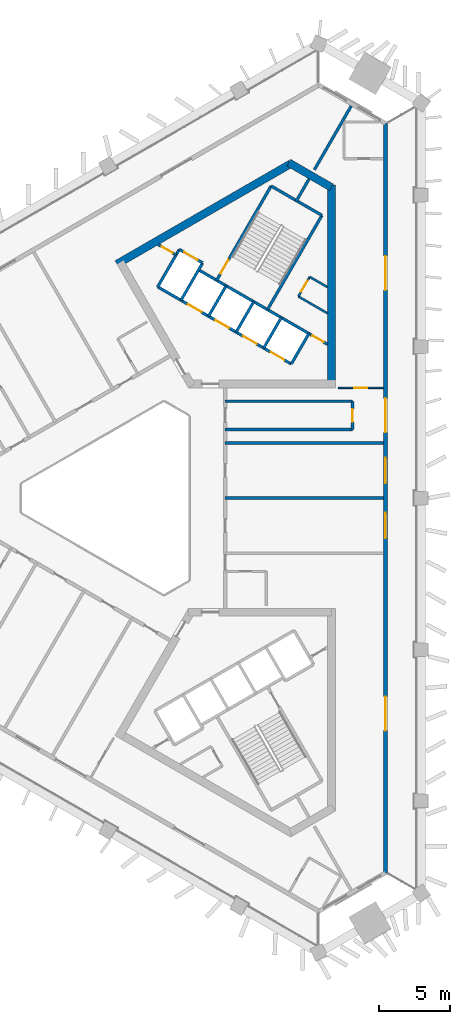
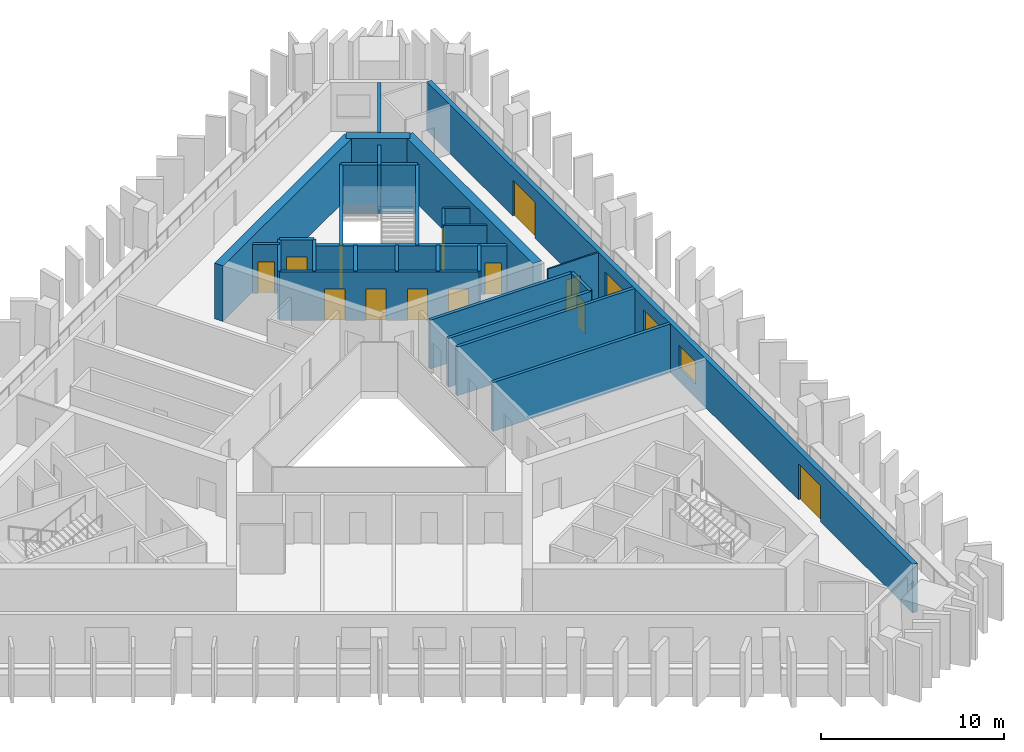
# One storey, part 5 of 9: 28 walls, 14 doors, 2 windows, 16 openings.
"""IFC4 building model written with IfcOpenShell, lengths in metres."""

import ifcopenshell
import ifcopenshell.guid

model = None  # the IFC model being written
_history = None  # IfcOwnerHistory: only IFC2X3 demands one
_inside = {}  # id of a spatial element -> (the spatial element, [elements in it])
_under = {}  # id of a project, library or spatial element -> (it, [spatial elements below it])
_declared = {}  # id of a project -> (the project, [libraries it declares])
_typed = {}  # id of a type object -> (the type object, [elements of that type])
_made_of = {}  # id of a material, layer set ... -> (it, [elements and type objects made of it])


def new_model(schema):
    """Start an empty IFC model of exactly this schema.

    Asked for "IFC4X3", IfcOpenShell would pick the latest addendum, in which some entities
    have other attributes; the version numbers below select the first issue.
    IFC2X3 requires an IfcOwnerHistory on every rooted entity: one is made here for all.
    """
    global model, _history
    if schema == "IFC4X3":
        model = ifcopenshell.file(schema_version=(4, 3, 0, 0))
    else:
        model = ifcopenshell.file(schema=schema)
    _inside.clear()
    _under.clear()
    _declared.clear()
    _typed.clear()
    _made_of.clear()
    _history = None
    if model.schema == "IFC2X3":
        org = make("IfcOrganization", Name="unknown")
        user = make(
            "IfcPersonAndOrganization",
            ThePerson=make("IfcPerson", FamilyName="unknown"),
            TheOrganization=org,
        )
        app = make(
            "IfcApplication",
            ApplicationDeveloper=org,
            Version="unknown",
            ApplicationFullName="unknown",
            ApplicationIdentifier="unknown",
        )
        _history = make(
            "IfcOwnerHistory",
            OwningUser=user,
            OwningApplication=app,
            ChangeAction="ADDED",
            CreationDate=0,
        )
    return model


def make(cls, **values):
    """One entity of the class cls with the attributes given. An attribute that is None is left unset."""
    return model.create_entity(
        cls, **{name: value for name, value in values.items() if value is not None}
    )


def rooted(cls, **values):
    """An entity with a GlobalId (a new one), such as an element, a storey or a relation."""
    return make(cls, GlobalId=ifcopenshell.guid.new(), OwnerHistory=_history, **values)


def si_unit(unit_type, name, prefix=None):
    """IfcSIUnit, for example si_unit("LENGTHUNIT", "METRE", prefix="MILLI")."""
    return make("IfcSIUnit", UnitType=unit_type, Prefix=prefix, Name=name)


def assignment(units):
    """IfcUnitAssignment: the units of a project."""
    return None if units is None else make("IfcUnitAssignment", Units=units)


def point(xyz):
    """IfcCartesianPoint."""
    return None if xyz is None else make("IfcCartesianPoint", Coordinates=xyz)


def direction(xyz):
    """IfcDirection."""
    return None if xyz is None else make("IfcDirection", DirectionRatios=xyz)


def frame(location, z_axis=None, x_axis=None):
    """IfcAxis2Placement3D, a coordinate frame: its origin and axes. An axis left out is left unset."""
    return make(
        "IfcAxis2Placement3D",
        Location=point(location),
        Axis=direction(z_axis),
        RefDirection=direction(x_axis),
    )


def frame_2d(location, x_axis=None):
    """IfcAxis2Placement2D, a coordinate frame in the plane: its origin and x axis."""
    return make(
        "IfcAxis2Placement2D", Location=point(location), RefDirection=direction(x_axis)
    )


def origin():
    """The frame at (0, 0, 0) with its axes left unset."""
    return frame((0.0, 0.0, 0.0))


def place(relative_to, where):
    """IfcLocalPlacement: puts the frame where relative to a parent placement (None: the world)."""
    return make(
        "IfcLocalPlacement", PlacementRelTo=relative_to, RelativePlacement=where
    )


def context(
    kind, dimensions, precision=None, world=None, true_north=None, identifier=None
):
    """IfcGeometricRepresentationContext, for example the 3D "Model" context."""
    return make(
        "IfcGeometricRepresentationContext",
        ContextIdentifier=identifier,
        ContextType=kind,
        CoordinateSpaceDimension=dimensions,
        Precision=precision,
        WorldCoordinateSystem=world,
        TrueNorth=true_north,
    )


def subcontext(parent, identifier, kind, view, scale=None):
    """IfcGeometricRepresentationSubContext, for example "Body" below "Model"."""
    return make(
        "IfcGeometricRepresentationSubContext",
        ContextIdentifier=identifier,
        ContextType=kind,
        ParentContext=parent,
        TargetScale=scale,
        TargetView=view,
    )


def project(units=None, contexts=None):
    """IfcProject with its units and contexts."""
    return rooted(
        "IfcProject",
        Name="project",
        RepresentationContexts=contexts,
        UnitsInContext=assignment(units),
    )


def spatial(cls, under=None, at=None, **own):
    """A site, building, storey or space (cls), placed at a placement, below another one or the project."""
    s = rooted(cls, ObjectPlacement=at, **own)
    if under is not None:
        _under.setdefault(under.id(), (under, []))[1].append(s)
    return s


def profile(cls, at=None, kind="AREA", **sizes):
    """A parametric profile (cls). Its sizes go by their IFC names, for example OverallWidth=200.0."""
    return make(cls, ProfileType=kind, Position=at, **sizes)


def rectangle(**sizes):
    """IfcRectangleProfileDef."""
    return profile("IfcRectangleProfileDef", **sizes)


def extrude(swept, where, along, depth):
    """IfcExtrudedAreaSolid: the profile swept, set in the frame where, extruded along a direction by depth."""
    return make(
        "IfcExtrudedAreaSolid",
        SweptArea=swept,
        Position=where,
        ExtrudedDirection=direction(along),
        Depth=depth,
    )


def shape(context_of_items, identifier, shape_type, items):
    """IfcShapeRepresentation: the items that make up one representation, for example the "Body"."""
    return make(
        "IfcShapeRepresentation",
        ContextOfItems=context_of_items,
        RepresentationIdentifier=identifier,
        RepresentationType=shape_type,
        Items=items,
    )


def material(Name=None, Category=None):
    """IfcMaterial."""
    return make("IfcMaterial", Name=Name, Category=Category)


def layer(
    of_material, thickness, ventilated=None, Name=None, Category=None, Priority=None
):
    """IfcMaterialLayer: one layer of a wall or slab, of a material (None: an air gap)."""
    return make(
        "IfcMaterialLayer",
        Material=of_material,
        LayerThickness=thickness,
        IsVentilated=ventilated,
        Name=Name,
        Category=Category,
        Priority=Priority,
    )


def layer_set(layers, Name=None):
    """IfcMaterialLayerSet."""
    return make("IfcMaterialLayerSet", MaterialLayers=layers, LayerSetName=Name)


def made_of(thing, what):
    """Note that an element or type object is made of a material, layer set ...; save() writes the relation."""
    if what is not None:
        _made_of.setdefault(what.id(), (what, []))[1].append(thing)
    return thing


def type_object(cls, material=None, **own):
    """A type object (cls), such as IfcWallType, which elements share."""
    return made_of(rooted(cls, **own), material)


def element(
    cls,
    number,
    at=None,
    inside=None,
    cuts=None,
    type_object=None,
    material=None,
    context=None,
    identifier="Body",
    shape_type=None,
    held_by="IfcProductDefinitionShape",
    body=None,
    shapes=None,
    **own,
):
    """One element of the class cls, such as IfcWall. Its Tag is "e" and its number.

    at: its placement. inside: the storey or other place that contains it. cuts: it is an
    opening in that element (IfcRelVoidsElement). A single representation is given by context,
    identifier, shape_type and body (its items); several are given by shapes. held_by: the class
    of the entity that holds the representations. save() writes the other relations.
    """
    e = rooted(cls, Tag="e%d" % number, ObjectPlacement=at, **own)
    if body is not None:
        shapes = [shape(context, identifier, shape_type, body)]
    if shapes is not None:
        e.Representation = make(held_by, Representations=shapes)
    if inside is not None:
        _inside.setdefault(inside.id(), (inside, []))[1].append(e)
    if cuts is not None:
        rooted(
            "IfcRelVoidsElement", RelatingBuildingElement=cuts, RelatedOpeningElement=e
        )
    if type_object is not None:
        _typed.setdefault(type_object.id(), (type_object, []))[1].append(e)
    return made_of(e, material)


def fill(opening, filler):
    """IfcRelFillsElement: the door or window that sits in an opening."""
    return rooted(
        "IfcRelFillsElement",
        RelatingOpeningElement=opening,
        RelatedBuildingElement=filler,
    )


def aggregate(whole, parts):
    """IfcRelAggregates: a whole, such as a stair, and the parts it consists of."""
    return rooted("IfcRelAggregates", RelatingObject=whole, RelatedObjects=parts)


def save(model, path):
    """Write the relations noted so far, then the file.

    IfcRelAggregates (storeys below a building ...), IfcRelContainedInSpatialStructure (elements
    in a storey), IfcRelDefinesByType, IfcRelAssociatesMaterial and IfcRelDeclares: one each for
    every whole, place, type object, material and project.
    """
    for whole, parts in _under.values():
        aggregate(whole, parts)
    for where, things in _inside.values():
        rooted(
            "IfcRelContainedInSpatialStructure",
            RelatedElements=things,
            RelatingStructure=where,
        )
    for kind, things in _typed.values():
        rooted("IfcRelDefinesByType", RelatedObjects=things, RelatingType=kind)
    for what, things in _made_of.values():
        rooted("IfcRelAssociatesMaterial", RelatedObjects=things, RelatingMaterial=what)
    for by, libraries in _declared.values():
        rooted("IfcRelDeclares", RelatingContext=by, RelatedDefinitions=libraries)
    model.write(path)


model = new_model("IFC4")

# Units and contexts
model_context = context("Model", 3, precision=1e-05, world=origin(), true_north=direction((0.0, 1.0)))
body_context = subcontext(model_context, "Body", "Model", "MODEL_VIEW")
ifc_project = project(units=[si_unit("LENGTHUNIT", "METRE"), si_unit("AREAUNIT", "SQUARE_METRE"), si_unit("VOLUMEUNIT", "CUBIC_METRE"), si_unit("PLANEANGLEUNIT", "RADIAN"), si_unit("MASSUNIT", "GRAM", prefix="KILO")], contexts=[model_context])

# Site, building, storey
site_placement = place(None, origin())
site = spatial("IfcSite", under=ifc_project, at=site_placement, CompositionType="ELEMENT")
building_placement = place(site_placement, origin())
building = spatial("IfcBuilding", under=site, at=building_placement, Name="Jabali Bay Hotel Tower and Convention Centre", CompositionType="ELEMENT")
storey_placement = place(building_placement, frame((0.0, 0.0, 182.199951171875)))
storey = spatial("IfcBuildingStorey", under=building, at=storey_placement, Name="L44", CompositionType="ELEMENT", Elevation=182.199951171875)

# Wall
ifc_material_1 = material(Name="Concrete C40", Category="concrete")
ifc_layer_1 = layer(ifc_material_1, 0.199951171875)
ifc_layer_set_1 = layer_set([ifc_layer_1], Name="Concrete C40")
wall_type_1 = type_object("IfcWallType", Name="Core partition wall 200", PredefinedType="PARTITIONING", material=ifc_layer_set_1)
wall_1_placement = place(storey_placement, frame((87.090087890625, 100.9404296875, 0.0), z_axis=(0.0, 0.0, 1.0), x_axis=(0.499951854219, 0.86605319898, 0.0)))
element("IfcWall", 1, at=wall_1_placement, inside=storey, type_object=wall_type_1, Name="Core wall 1.5 L44", PredefinedType="PARTITIONING", context=body_context, shape_type="SweptSolid", body=[
    extrude(rectangle(XDim=1.873291015625, YDim=0.199951171875, at=frame_2d((0.9365234375, 0.0))), origin(), (0.0, 0.0, 1.0), 3.25),
])

# Wall, opening, door
wall_2_placement = place(storey_placement, frame((78.630126953125, 97.187744140625, 0.0), z_axis=(0.0, 0.0, 1.0), x_axis=(-0.866003949776, 0.500037157592, 0.0)))
wall_2 = element("IfcWall", 2, at=wall_2_placement, inside=storey, type_object=wall_type_1, Name="Core wall 1.12 L44", PredefinedType="PARTITIONING", context=body_context, shape_type="SweptSolid", body=[
    extrude(rectangle(XDim=1.455078125, YDim=0.199951171875, at=frame_2d((0.7275390625, 0.0))), origin(), (0.0, 0.0, 1.0), 3.25),
])
opening_1_placement = place(wall_2_placement, frame((0.277587890625, 0.0, 0.0)))
opening_1 = element("IfcOpeningElement", 3, at=opening_1_placement, cuts=wall_2, Name="Opening D958", PredefinedType="OPENING", context=body_context, shape_type="SweptSolid", body=[
    extrude(rectangle(XDim=0.89990234375, YDim=2.10009765625, at=frame_2d((0.449951171875, 1.050048828125))), frame((0.0, 0.1103515625, 0.0), z_axis=(0.0, -1.0, 0.0), x_axis=(1.0, 0.0, 0.0)), (0.0, 0.0, 1.0), 0.220947265625),
])
ifc_material_2 = material(Name="Fire-rated steel door", Category="steel")
door_type_1 = type_object("IfcDoorType", Name="Vestibule fire door 900 x 2100", OperationType="NOTDEFINED", PredefinedType="NOTDEFINED", material=ifc_material_2)
door_1_placement = place(opening_1_placement, origin())
door_1 = element("IfcDoor", 4, at=door_1_placement, inside=storey, type_object=door_type_1, Name="Vestibule fire door D958", OperationType="SINGLE_SWING_LEFT", OverallHeight=2.10009765625, OverallWidth=0.89990234375, PredefinedType="NOTDEFINED", context=body_context, shape_type="SweptSolid", body=[
    extrude(rectangle(XDim=0.89990234375, YDim=2.10009765625, at=frame_2d((0.449951171875, 1.050048828125))), frame((0.0, 0.02490234375, 0.0), z_axis=(0.0, -1.0, 0.0), x_axis=(1.0, 0.0, 0.0)), (0.0, 0.0, 1.0), 0.050048828125),
])
fill(opening_1, door_1)

ifc_material_3 = material(Name="Fire-rated board partition")
ifc_layer_2 = layer(ifc_material_3, 0.14990234375)
ifc_layer_set_2 = layer_set([ifc_layer_2], Name="Fire-rated board partition")
wall_type_2 = type_object("IfcWallType", Name="Core room partition 150", PredefinedType="PARTITIONING", material=ifc_layer_set_2)
wall_3_placement = place(storey_placement, frame((87.27099609375, 94.254150390625, 0.0), z_axis=(0.0, 0.0, 1.0), x_axis=(0.499995408039, 0.866028054938, 0.0)))
wall_3 = element("IfcWall", 5, at=wall_3_placement, inside=storey, type_object=wall_type_2, Name="Core wall 1.1 L44", PredefinedType="PARTITIONING", context=body_context, shape_type="SweptSolid", body=[
    extrude(rectangle(XDim=1.60009765625, YDim=0.14990234375, at=frame_2d((0.800048828125, 0.0))), origin(), (0.0, 0.0, 1.0), 3.25),
])
opening_2_placement = place(wall_3_placement, frame((0.387451171875, 0.0, 0.0)))
opening_2 = element("IfcOpeningElement", 6, at=opening_2_placement, cuts=wall_3, Name="Opening D961", PredefinedType="OPENING", context=body_context, shape_type="SweptSolid", body=[
    extrude(rectangle(XDim=0.89990234375, YDim=2.10009765625, at=frame_2d((0.449951171875, 1.050048828125))), frame((0.0, 0.08544921875, 0.0), z_axis=(0.0, -1.0, 0.0), x_axis=(1.0, 0.0, 0.0)), (0.0, 0.0, 1.0), 0.1708984375),
])
door_type_2 = type_object("IfcDoorType", Name="Core room door 900 x 2100", OperationType="NOTDEFINED", PredefinedType="NOTDEFINED", material=ifc_material_2)
door_2_placement = place(opening_2_placement, origin())
door_2 = element("IfcDoor", 7, at=door_2_placement, inside=storey, type_object=door_type_2, Name="Core room door D961", OperationType="SINGLE_SWING_LEFT", OverallHeight=2.10009765625, OverallWidth=0.89990234375, PredefinedType="NOTDEFINED", context=body_context, shape_type="SweptSolid", body=[
    extrude(rectangle(XDim=0.89990234375, YDim=2.10009765625, at=frame_2d((0.449951171875, 1.050048828125))), frame((0.0, 0.02490234375, 0.0), z_axis=(0.0, -1.0, 0.0), x_axis=(1.0, 0.0, 0.0)), (0.0, 0.0, 1.0), 0.050048828125),
])
fill(opening_2, door_2)

# Walls
wall_4_placement = place(storey_placement, frame((89.330078125, 93.0654296875, 0.0), z_axis=(0.0, 0.0, 1.0), x_axis=(-0.866041951395, 0.499971337603, 0.0)))
element("IfcWall", 8, at=wall_4_placement, inside=storey, type_object=wall_type_2, Name="Core wall 1.14 L44", PredefinedType="PARTITIONING", context=body_context, shape_type="SweptSolid", body=[
    extrude(rectangle(XDim=2.377685546875, YDim=0.14990234375, at=frame_2d((1.18896484375, 0.0))), origin(), (0.0, 0.0, 1.0), 3.25),
])
wall_5_placement = place(storey_placement, frame((89.330078125, 94.912841796875, 0.0), z_axis=(0.0, 0.0, 1.0), x_axis=(-0.865981433661, 0.500076150755, 0.0)))
element("IfcWall", 9, at=wall_5_placement, inside=storey, type_object=wall_type_2, Name="Core wall 1.15 L44", PredefinedType="PARTITIONING", context=body_context, shape_type="SweptSolid", body=[
    extrude(rectangle(XDim=1.453857421875, YDim=0.14990234375, at=frame_2d((0.72705078125, 0.0))), origin(), (0.0, 0.0, 1.0), 3.25),
])
ifc_layer_3 = layer(ifc_material_1, 0.199951171875)
ifc_layer_set_3 = layer_set([ifc_layer_3], Name="Concrete C40")
wall_type_3 = type_object("IfcWallType", Name="Core stair wall 200", PredefinedType="SOLIDWALL", material=ifc_layer_set_3)
for number, where, z_axis, x_axis, name in (
    (10, (86.769775390625, 89.48583984375, 0.0), (0.0, 0.0, 1.0), (0.499961042966, 0.86604789447, 0.0), "Core wall 1.0 L44"),
    (11, (84.8212890625, 90.61083984375, 0.0), (0.0, 0.0, 1.0), (0.499961042966, 0.86604789447, 0.0), "Core wall 1.2 L44"),
):
    element("IfcWall", number, at=place(storey_placement, frame(where, z_axis=z_axis, x_axis=x_axis)), inside=storey, type_object=wall_type_3, Name=name, PredefinedType="SOLIDWALL", context=body_context, shape_type="SweptSolid", body=[
        extrude(rectangle(XDim=2.480224609375, YDim=0.199951171875, at=frame_2d((1.240234375, 0.0))), origin(), (0.0, 0.0, 1.0), 3.25),
    ])
wall_6_placement = place(storey_placement, frame((85.0869140625, 93.3212890625, 0.0), z_axis=(0.0, 0.0, 1.0), x_axis=(0.500019787375, 0.866013979237, 0.0)))
element("IfcWall", 12, at=wall_6_placement, inside=storey, type_object=wall_type_3, Name="Core wall 1.3 L44", PredefinedType="SOLIDWALL", context=body_context, shape_type="SweptSolid", body=[
    extrude(rectangle(XDim=7.699951171875, YDim=0.199951171875, at=frame_2d((3.85009765625, 0.0))), origin(), (0.0, 0.0, 1.0), 3.25),
])
for number, where, z_axis, x_axis, name in (
    (13, (82.872802734375, 91.73583984375, 0.0), (0.0, 0.0, 1.0), (0.499961042966, 0.86604789447, 0.0), "Core wall 1.4 L44"),
    (14, (80.924072265625, 92.86083984375, 0.0), (0.0, 0.0, 1.0), (0.499961042966, 0.86604789447, 0.0), "Core wall 1.6 L44"),
):
    element("IfcWall", number, at=place(storey_placement, frame(where, z_axis=z_axis, x_axis=x_axis)), inside=storey, type_object=wall_type_3, Name=name, PredefinedType="SOLIDWALL", context=body_context, shape_type="SweptSolid", body=[
        extrude(rectangle(XDim=2.480224609375, YDim=0.199951171875, at=frame_2d((1.240234375, 0.0))), origin(), (0.0, 0.0, 1.0), 3.25),
    ])

# Wall, opening, door
wall_7_placement = place(storey_placement, frame((81.492919921875, 95.396240234375, 0.0), z_axis=(0.0, 0.0, 1.0), x_axis=(0.500006057782, 0.866021906294, 0.0)))
wall_7 = element("IfcWall", 15, at=wall_7_placement, inside=storey, type_object=wall_type_3, Name="Core wall 1.7 L44", PredefinedType="SOLIDWALL", context=body_context, shape_type="SweptSolid", body=[
    extrude(rectangle(XDim=7.7001953125, YDim=0.199951171875, at=frame_2d((3.85009765625, 0.0))), origin(), (0.0, 0.0, 1.0), 3.25),
])
opening_3_placement = place(wall_7_placement, frame((0.550048828125, 0.0, 0.0)))
opening_3 = element("IfcOpeningElement", 16, at=opening_3_placement, cuts=wall_7, Name="Opening D960", PredefinedType="OPENING", context=body_context, shape_type="SweptSolid", body=[
    extrude(rectangle(XDim=1.10009765625, YDim=2.10009765625, at=frame_2d((0.550048828125, 1.050048828125))), frame((0.0, 0.1103515625, 0.0), z_axis=(0.0, -1.0, 0.0), x_axis=(1.0, 0.0, 0.0)), (0.0, 0.0, 1.0), 0.220947265625),
])
door_type_3 = type_object("IfcDoorType", Name="Stair fire door 1100 x 2100", OperationType="NOTDEFINED", PredefinedType="NOTDEFINED", material=ifc_material_2)
door_3_placement = place(opening_3_placement, origin())
door_3 = element("IfcDoor", 17, at=door_3_placement, inside=storey, type_object=door_type_3, Name="Stair fire door D960", OperationType="SINGLE_SWING_RIGHT", OverallHeight=2.10009765625, OverallWidth=1.10009765625, PredefinedType="NOTDEFINED", context=body_context, shape_type="SweptSolid", body=[
    extrude(rectangle(XDim=1.10009765625, YDim=2.10009765625, at=frame_2d((0.550048828125, 1.050048828125))), frame((0.0, 0.02490234375, 0.0), z_axis=(0.0, -1.0, 0.0), x_axis=(1.0, 0.0, 0.0)), (0.0, 0.0, 1.0), 0.050048828125),
])
fill(opening_3, door_3)

# Walls
for number, where, z_axis, x_axis, name in (
    (18, (78.9755859375, 93.98583984375, 0.0), (0.0, 0.0, 1.0), (0.499944174705, 0.866057632134, 0.0), "Core wall 1.8 L44"),
    (19, (77.330078125, 94.93603515625, 0.0), (0.0, 0.0, 1.0), (0.500038867431, 0.8660029625, 0.0), "Core wall 1.9 L44"),
):
    element("IfcWall", number, at=place(storey_placement, frame(where, z_axis=z_axis, x_axis=x_axis)), inside=storey, type_object=wall_type_3, Name=name, PredefinedType="SOLIDWALL", context=body_context, shape_type="SweptSolid", body=[
        extrude(rectangle(XDim=3.050048828125, YDim=0.199951171875, at=frame_2d((1.52490234375, 0.0))), origin(), (0.0, 0.0, 1.0), 3.25),
    ])

# Wall, openings, doors
wall_8_placement = place(storey_placement, frame((86.769775390625, 89.48583984375, 0.0), z_axis=(0.0, 0.0, 1.0), x_axis=(-0.86601811187, 0.500012629753, 0.0)))
wall_8 = element("IfcWall", 20, at=wall_8_placement, inside=storey, type_object=wall_type_3, Name="Core wall 1.10 L44", PredefinedType="SOLIDWALL", context=body_context, shape_type="SweptSolid", body=[
    extrude(rectangle(XDim=10.900146484375, YDim=0.199951171875, at=frame_2d((5.4501953125, 0.0))), origin(), (0.0, 0.0, 1.0), 3.25),
])
opening_4_placement = place(wall_8_placement, frame((0.574951171875, 0.0, 0.0)))
opening_4 = element("IfcOpeningElement", 21, at=opening_4_placement, cuts=wall_8, Name="Opening LD6-L44", PredefinedType="OPENING", context=body_context, shape_type="SweptSolid", body=[
    extrude(rectangle(XDim=1.10009765625, YDim=2.10009765625, at=frame_2d((0.550048828125, 1.050048828125))), frame((0.0, 0.1103515625, 0.0), z_axis=(0.0, -1.0, 0.0), x_axis=(1.0, 0.0, 0.0)), (0.0, 0.0, 1.0), 0.220947265625),
])
opening_5_placement = place(wall_8_placement, frame((2.824951171875, 0.0, 0.0)))
opening_5 = element("IfcOpeningElement", 22, at=opening_5_placement, cuts=wall_8, Name="Opening LD7-L44", PredefinedType="OPENING", context=body_context, shape_type="SweptSolid", body=[
    extrude(rectangle(XDim=1.10009765625, YDim=2.10009765625, at=frame_2d((0.550048828125, 1.050048828125))), frame((0.0, 0.1103515625, 0.0), z_axis=(0.0, -1.0, 0.0), x_axis=(1.0, 0.0, 0.0)), (0.0, 0.0, 1.0), 0.220947265625),
])
opening_6_placement = place(wall_8_placement, frame((5.074951171875, 0.0, 0.0)))
opening_6 = element("IfcOpeningElement", 23, at=opening_6_placement, cuts=wall_8, Name="Opening LD8-L44", PredefinedType="OPENING", context=body_context, shape_type="SweptSolid", body=[
    extrude(rectangle(XDim=1.10009765625, YDim=2.10009765625, at=frame_2d((0.550048828125, 1.050048828125))), frame((0.0, 0.1103515625, 0.0), z_axis=(0.0, -1.0, 0.0), x_axis=(1.0, 0.0, 0.0)), (0.0, 0.0, 1.0), 0.220947265625),
])
opening_7_placement = place(wall_8_placement, frame((7.324951171875, 0.0, 0.0)))
opening_7 = element("IfcOpeningElement", 24, at=opening_7_placement, cuts=wall_8, Name="Opening LD9-L44", PredefinedType="OPENING", context=body_context, shape_type="SweptSolid", body=[
    extrude(rectangle(XDim=1.10009765625, YDim=2.10009765625, at=frame_2d((0.550048828125, 1.050048828125))), frame((0.0, 0.1103515625, 0.0), z_axis=(0.0, -1.0, 0.0), x_axis=(1.0, 0.0, 0.0)), (0.0, 0.0, 1.0), 0.220947265625),
])
ifc_material_4 = material(Name="Stainless steel landing door", Category="steel")
door_type_4 = type_object("IfcDoorType", Name="Landing door 1100 x 2100", OperationType="NOTDEFINED", PredefinedType="NOTDEFINED", material=ifc_material_4)
door_4_placement = place(opening_4_placement, origin())
door_4 = element("IfcDoor", 25, at=door_4_placement, inside=storey, type_object=door_type_4, Name="Landing doors LD6-L44", OperationType="SLIDING_TO_RIGHT", OverallHeight=2.10009765625, OverallWidth=1.10009765625, PredefinedType="NOTDEFINED", context=body_context, shape_type="SweptSolid", body=[
    extrude(rectangle(XDim=1.10009765625, YDim=2.10009765625, at=frame_2d((0.550048828125, 1.050048828125))), frame((0.0, 0.02490234375, 0.0), z_axis=(0.0, -1.0, 0.0), x_axis=(1.0, 0.0, 0.0)), (0.0, 0.0, 1.0), 0.050048828125),
])
fill(opening_4, door_4)
door_5_placement = place(opening_5_placement, origin())
door_5 = element("IfcDoor", 26, at=door_5_placement, inside=storey, type_object=door_type_4, Name="Landing doors LD7-L44", OperationType="SLIDING_TO_LEFT", OverallHeight=2.10009765625, OverallWidth=1.10009765625, PredefinedType="NOTDEFINED", context=body_context, shape_type="SweptSolid", body=[
    extrude(rectangle(XDim=1.10009765625, YDim=2.10009765625, at=frame_2d((0.550048828125, 1.050048828125))), frame((0.0, 0.02490234375, 0.0), z_axis=(0.0, -1.0, 0.0), x_axis=(1.0, 0.0, 0.0)), (0.0, 0.0, 1.0), 0.050048828125),
])
fill(opening_5, door_5)
door_6_placement = place(opening_6_placement, origin())
door_6 = element("IfcDoor", 27, at=door_6_placement, inside=storey, type_object=door_type_4, Name="Landing doors LD8-L44", OperationType="SLIDING_TO_RIGHT", OverallHeight=2.10009765625, OverallWidth=1.10009765625, PredefinedType="NOTDEFINED", context=body_context, shape_type="SweptSolid", body=[
    extrude(rectangle(XDim=1.10009765625, YDim=2.10009765625, at=frame_2d((0.550048828125, 1.050048828125))), frame((0.0, 0.02490234375, 0.0), z_axis=(0.0, -1.0, 0.0), x_axis=(1.0, 0.0, 0.0)), (0.0, 0.0, 1.0), 0.050048828125),
])
fill(opening_6, door_6)
door_7_placement = place(opening_7_placement, origin())
door_7 = element("IfcDoor", 28, at=door_7_placement, inside=storey, type_object=door_type_4, Name="Landing doors LD9-L44", OperationType="SLIDING_TO_LEFT", OverallHeight=2.10009765625, OverallWidth=1.10009765625, PredefinedType="NOTDEFINED", context=body_context, shape_type="SweptSolid", body=[
    extrude(rectangle(XDim=1.10009765625, YDim=2.10009765625, at=frame_2d((0.550048828125, 1.050048828125))), frame((0.0, 0.02490234375, 0.0), z_axis=(0.0, -1.0, 0.0), x_axis=(1.0, 0.0, 0.0)), (0.0, 0.0, 1.0), 0.050048828125),
])
fill(opening_7, door_7)

# Wall, opening, door
wall_9_placement = place(storey_placement, frame((89.330078125, 90.87158203125, 0.0), z_axis=(0.0, 0.0, 1.0), x_axis=(-0.866027589512, 0.49999621419, 0.0)))
wall_9 = element("IfcWall", 29, at=wall_9_placement, inside=storey, type_object=wall_type_3, Name="Core wall 1.11 L44", PredefinedType="SOLIDWALL", context=body_context, shape_type="SweptSolid", body=[
    extrude(rectangle(XDim=10.5244140625, YDim=0.199951171875, at=frame_2d((5.26220703125, 0.0))), origin(), (0.0, 0.0, 1.0), 3.25),
])
opening_8_placement = place(wall_9_placement, frame((0.312255859375, 0.0, 0.0)))
opening_8 = element("IfcOpeningElement", 30, at=opening_8_placement, cuts=wall_9, Name="Opening D959", PredefinedType="OPENING", context=body_context, shape_type="SweptSolid", body=[
    extrude(rectangle(XDim=0.89990234375, YDim=2.10009765625, at=frame_2d((0.449951171875, 1.050048828125))), frame((0.0, 0.1103515625, 0.0), z_axis=(0.0, -1.0, 0.0), x_axis=(1.0, 0.0, 0.0)), (0.0, 0.0, 1.0), 0.220947265625),
])
door_8_placement = place(opening_8_placement, origin())
door_8 = element("IfcDoor", 31, at=door_8_placement, inside=storey, type_object=door_type_1, Name="Vestibule fire door D959", OperationType="SINGLE_SWING_LEFT", OverallHeight=2.10009765625, OverallWidth=0.89990234375, PredefinedType="NOTDEFINED", context=body_context, shape_type="SweptSolid", body=[
    extrude(rectangle(XDim=0.89990234375, YDim=2.10009765625, at=frame_2d((0.449951171875, 1.050048828125))), frame((0.0, 0.02490234375, 0.0), z_axis=(0.0, -1.0, 0.0), x_axis=(1.0, 0.0, 0.0)), (0.0, 0.0, 1.0), 0.050048828125),
])
fill(opening_8, door_8)

wall_10_placement = place(storey_placement, frame((80.50048828125, 96.62744140625, 0.0), z_axis=(0.0, 0.0, 1.0), x_axis=(-0.86601224135, 0.500022797313, 0.0)))
wall_10 = element("IfcWall", 32, at=wall_10_placement, inside=storey, type_object=wall_type_3, Name="Core wall 1.13 L44", PredefinedType="SOLIDWALL", context=body_context, shape_type="SweptSolid", body=[
    extrude(rectangle(XDim=1.89990234375, YDim=0.199951171875, at=frame_2d((0.949951171875, 0.0))), origin(), (0.0, 0.0, 1.0), 3.25),
])
opening_9_placement = place(wall_10_placement, frame((0.39990234375, 0.0, 0.0)))
opening_9 = element("IfcOpeningElement", 33, at=opening_9_placement, cuts=wall_10, Name="Opening LD10-L44", PredefinedType="OPENING", context=body_context, shape_type="SweptSolid", body=[
    extrude(rectangle(XDim=1.10009765625, YDim=2.10009765625, at=frame_2d((0.550048828125, 1.050048828125))), frame((0.0, 0.1103515625, 0.0), z_axis=(0.0, -1.0, 0.0), x_axis=(1.0, 0.0, 0.0)), (0.0, 0.0, 1.0), 0.220947265625),
])
door_9_placement = place(opening_9_placement, origin())
door_9 = element("IfcDoor", 34, at=door_9_placement, inside=storey, type_object=door_type_4, Name="Landing doors LD10-L44", OperationType="SLIDING_TO_RIGHT", OverallHeight=2.10009765625, OverallWidth=1.10009765625, PredefinedType="NOTDEFINED", context=body_context, shape_type="SweptSolid", body=[
    extrude(rectangle(XDim=1.10009765625, YDim=2.10009765625, at=frame_2d((0.550048828125, 1.050048828125))), frame((0.0, 0.02490234375, 0.0), z_axis=(0.0, -1.0, 0.0), x_axis=(1.0, 0.0, 0.0)), (0.0, 0.0, 1.0), 0.050048828125),
])
fill(opening_9, door_9)

# Walls
wall_11_placement = place(storey_placement, frame((88.93701171875, 99.989501953125, 0.0), z_axis=(0.0, 0.0, 1.0), x_axis=(-0.866004344652, 0.500036473714, 0.0)))
element("IfcWall", 35, at=wall_11_placement, inside=storey, type_object=wall_type_3, Name="Core wall 1.16 L44", PredefinedType="SOLIDWALL", context=body_context, shape_type="SweptSolid", body=[
    extrude(rectangle(XDim=4.150146484375, YDim=0.199951171875, at=frame_2d((2.0751953125, 0.0))), origin(), (0.0, 0.0, 1.0), 3.25),
])
ifc_material_5 = material(Name="Concrete C60", Category="concrete")
ifc_layer_4 = layer(ifc_material_5, 0.550048828125)
ifc_layer_set_4 = layer_set([ifc_layer_4], Name="Concrete C60")
wall_type_4 = type_object("IfcWallType", Name="Core wall 550", PredefinedType="SHEAR", material=ifc_layer_set_4)
wall_12_placement = place(storey_placement, frame((89.60498046875, 88.0693359375, 0.0), z_axis=(0.0, 0.0, 1.0), x_axis=(0.0, 1.0, 0.0)))
element("IfcWall", 36, at=wall_12_placement, inside=storey, type_object=wall_type_4, Name="Core wall 2.2 L44", PredefinedType="SHEAR", context=body_context, shape_type="SweptSolid", body=[
    extrude(rectangle(XDim=14.058349609375, YDim=0.550048828125, at=frame_2d((7.029296875, 0.0))), origin(), (0.0, 0.0, 1.0), 3.699951171875),
])
wall_13_placement = place(storey_placement, frame((89.60498046875, 101.96875, 0.0), z_axis=(0.0, 0.0, 1.0), x_axis=(-0.865997833373, 0.500047750313, 0.0)))
element("IfcWall", 37, at=wall_13_placement, inside=storey, type_object=wall_type_4, Name="Core wall 2.3 L44", PredefinedType="SHEAR", context=body_context, shape_type="SweptSolid", body=[
    extrude(rectangle(XDim=3.486572265625, YDim=0.550048828125, at=frame_2d((1.7431640625, 0.0))), origin(), (0.0, 0.0, 1.0), 3.699951171875),
])
wall_14_placement = place(storey_placement, frame((86.72314453125, 103.6328125, 0.0), z_axis=(0.0, 0.0, 1.0), x_axis=(-0.866023530946, -0.500003243837, 0.0)))
element("IfcWall", 38, at=wall_14_placement, inside=storey, type_object=wall_type_4, Name="Core wall 2.4 L44", PredefinedType="SHEAR", context=body_context, shape_type="SweptSolid", body=[
    extrude(rectangle(XDim=14.1748046875, YDim=0.550048828125, at=frame_2d((7.08740234375, 0.0))), origin(), (0.0, 0.0, 1.0), 3.699951171875),
])

# Wall, openings, doors, windows
ifc_layer_5 = layer(ifc_material_1, 0.300048828125)
ifc_layer_set_5 = layer_set([ifc_layer_5], Name="Concrete C40")
wall_type_5 = type_object("IfcWallType", Name="External wall 300", PredefinedType="SOLIDWALL", material=ifc_layer_set_5)
wall_15_placement = place(storey_placement, frame((93.42724609375, 106.495361328125, 0.0), z_axis=(0.0, 0.0, 1.0), x_axis=(0.0, -1.0, 0.0)))
wall_15 = element("IfcWall", 39, at=wall_15_placement, inside=storey, type_object=wall_type_5, Name="External wall east face L44", PredefinedType="SOLIDWALL", context=body_context, shape_type="SweptSolid", body=[
    extrude(rectangle(XDim=52.99072265625, YDim=0.300048828125, at=frame_2d((26.495361328125, 0.0))), origin(), (0.0, 0.0, 1.0), 3.25),
])
opening_10_placement = place(wall_15_placement, frame((19.44970703125, 0.0, 0.0)))
opening_10 = element("IfcOpeningElement", 40, at=opening_10_placement, cuts=wall_15, Name="Opening SD1", PredefinedType="OPENING", context=body_context, shape_type="SweptSolid", body=[
    extrude(rectangle(XDim=2.39990234375, YDim=2.39990234375, at=frame_2d((1.199951171875, 1.199951171875))), frame((0.0, 0.16064453125, 0.0), z_axis=(0.0, -1.0, 0.0), x_axis=(1.0, 0.0, 0.0)), (0.0, 0.0, 1.0), 0.321044921875),
])
opening_11_placement = place(wall_15_placement, frame((9.392333984375, 0.0, 0.0)))
opening_11 = element("IfcOpeningElement", 41, at=opening_11_placement, cuts=wall_15, Name="Opening SD1", PredefinedType="OPENING", context=body_context, shape_type="SweptSolid", body=[
    extrude(rectangle(XDim=2.39990234375, YDim=2.39990234375, at=frame_2d((1.199951171875, 1.199951171875))), frame((0.0, 0.16064453125, 0.0), z_axis=(0.0, -1.0, 0.0), x_axis=(1.0, 0.0, 0.0)), (0.0, 0.0, 1.0), 0.321044921875),
])
opening_12_placement = place(wall_15_placement, frame((40.534912109375, 0.0, 0.0)))
opening_12 = element("IfcOpeningElement", 42, at=opening_12_placement, cuts=wall_15, Name="Opening SD1", PredefinedType="OPENING", context=body_context, shape_type="SweptSolid", body=[
    extrude(rectangle(XDim=2.39990234375, YDim=2.39990234375, at=frame_2d((1.199951171875, 1.199951171875))), frame((0.0, 0.16064453125, 0.0), z_axis=(0.0, -1.0, 0.0), x_axis=(1.0, 0.0, 0.0)), (0.0, 0.0, 1.0), 0.321044921875),
])
opening_13_placement = place(wall_15_placement, frame((27.5439453125, 0.0, 0.89990234375)))
opening_13 = element("IfcOpeningElement", 43, at=opening_13_placement, cuts=wall_15, Name="Opening W1", PredefinedType="OPENING", context=body_context, shape_type="SweptSolid", body=[
    extrude(rectangle(XDim=1.800048828125, YDim=1.5, at=frame_2d((0.89990234375, 0.75))), frame((0.0, 0.16064453125, 0.0), z_axis=(0.0, -1.0, 0.0), x_axis=(1.0, 0.0, 0.0)), (0.0, 0.0, 1.0), 0.321044921875),
])
opening_14_placement = place(wall_15_placement, frame((23.64697265625, 0.0, 0.89990234375)))
opening_14 = element("IfcOpeningElement", 44, at=opening_14_placement, cuts=wall_15, Name="Opening W1", PredefinedType="OPENING", context=body_context, shape_type="SweptSolid", body=[
    extrude(rectangle(XDim=1.800048828125, YDim=1.5, at=frame_2d((0.89990234375, 0.75))), frame((0.0, 0.16064453125, 0.0), z_axis=(0.0, -1.0, 0.0), x_axis=(1.0, 0.0, 0.0)), (0.0, 0.0, 1.0), 0.321044921875),
])
ifc_material_6 = material(Name="Glass", Category="glass")
door_type_5 = type_object("IfcDoorType", Name="Loggia sliding door 2400 x 2400", OperationType="NOTDEFINED", PredefinedType="NOTDEFINED", material=ifc_material_6)
door_10_placement = place(opening_10_placement, origin())
door_10 = element("IfcDoor", 45, at=door_10_placement, inside=storey, type_object=door_type_5, Name="Loggia sliding door 4404", OperationType="SLIDING_TO_LEFT", OverallHeight=2.39990234375, OverallWidth=2.39990234375, PredefinedType="NOTDEFINED", context=body_context, shape_type="SweptSolid", body=[
    extrude(rectangle(XDim=2.39990234375, YDim=2.39990234375, at=frame_2d((1.199951171875, 1.199951171875))), frame((0.0, 0.02490234375, 0.0), z_axis=(0.0, -1.0, 0.0), x_axis=(1.0, 0.0, 0.0)), (0.0, 0.0, 1.0), 0.050048828125),
])
fill(opening_10, door_10)
door_11_placement = place(opening_11_placement, origin())
door_11 = element("IfcDoor", 46, at=door_11_placement, inside=storey, type_object=door_type_5, Name="Loggia sliding door 4404", OperationType="SLIDING_TO_RIGHT", OverallHeight=2.39990234375, OverallWidth=2.39990234375, PredefinedType="NOTDEFINED", context=body_context, shape_type="SweptSolid", body=[
    extrude(rectangle(XDim=2.39990234375, YDim=2.39990234375, at=frame_2d((1.199951171875, 1.199951171875))), frame((0.0, 0.02490234375, 0.0), z_axis=(0.0, -1.0, 0.0), x_axis=(1.0, 0.0, 0.0)), (0.0, 0.0, 1.0), 0.050048828125),
])
fill(opening_11, door_11)
door_12_placement = place(opening_12_placement, origin())
door_12 = element("IfcDoor", 47, at=door_12_placement, inside=storey, type_object=door_type_5, Name="Loggia sliding door 4401", OperationType="SLIDING_TO_LEFT", OverallHeight=2.39990234375, OverallWidth=2.39990234375, PredefinedType="NOTDEFINED", context=body_context, shape_type="SweptSolid", body=[
    extrude(rectangle(XDim=2.39990234375, YDim=2.39990234375, at=frame_2d((1.199951171875, 1.199951171875))), frame((0.0, 0.02490234375, 0.0), z_axis=(0.0, -1.0, 0.0), x_axis=(1.0, 0.0, 0.0)), (0.0, 0.0, 1.0), 0.050048828125),
])
fill(opening_12, door_12)
window_type = type_object("IfcWindowType", Name="Window 1800 x 1500", PartitioningType="SINGLE_PANEL", PredefinedType="WINDOW", material=ifc_material_6)
window_1_placement = place(opening_13_placement, origin())
window_1 = element("IfcWindow", 48, at=window_1_placement, inside=storey, type_object=window_type, Name="Window 4402", OverallHeight=1.5, OverallWidth=1.800048828125, PartitioningType="SINGLE_PANEL", PredefinedType="WINDOW", context=body_context, shape_type="SweptSolid", body=[
    extrude(rectangle(XDim=1.800048828125, YDim=1.5, at=frame_2d((0.89990234375, 0.75))), frame((0.0, 0.030029296875, 0.0), z_axis=(0.0, -1.0, 0.0), x_axis=(1.0, 0.0, 0.0)), (0.0, 0.0, 1.0), 0.06005859375),
])
fill(opening_13, window_1)
window_2_placement = place(opening_14_placement, origin())
window_2 = element("IfcWindow", 49, at=window_2_placement, inside=storey, type_object=window_type, Name="Window 4403", OverallHeight=1.5, OverallWidth=1.800048828125, PartitioningType="SINGLE_PANEL", PredefinedType="WINDOW", context=body_context, shape_type="SweptSolid", body=[
    extrude(rectangle(XDim=1.800048828125, YDim=1.5, at=frame_2d((0.89990234375, 0.75))), frame((0.0, 0.030029296875, 0.0), z_axis=(0.0, -1.0, 0.0), x_axis=(1.0, 0.0, 0.0)), (0.0, 0.0, 1.0), 0.06005859375),
])
fill(opening_14, window_2)

# Wall, opening, door
ifc_material_7 = material(Name="Plasterboard on steel stud", Category="steel")
ifc_layer_6 = layer(ifc_material_7, 0.10009765625)
ifc_layer_set_6 = layer_set([ifc_layer_6], Name="Plasterboard on steel stud")
wall_type_6 = type_object("IfcWallType", Name="Partition 100 unit", PredefinedType="PARTITIONING", material=ifc_layer_set_6)
wall_16_placement = place(storey_placement, frame((93.2783203125, 87.794189453125, 0.0), z_axis=(0.0, 0.0, 1.0), x_axis=(-1.0, 0.0, 0.0)))
wall_16 = element("IfcWall", 50, at=wall_16_placement, inside=storey, type_object=wall_type_6, Name="Partition P02 L44 007", PredefinedType="PARTITIONING", context=body_context, shape_type="SweptSolid", body=[
    extrude(rectangle(XDim=3.19921875, YDim=0.10009765625, at=frame_2d((1.599609375, 0.0))), origin(), (0.0, 0.0, 1.0), 3.25),
])
opening_15_placement = place(wall_16_placement, frame((1.14990234375, 0.0, 0.0)))
opening_15 = element("IfcOpeningElement", 51, at=opening_15_placement, cuts=wall_16, Name="Opening 4406", PredefinedType="OPENING", context=body_context, shape_type="SweptSolid", body=[
    extrude(rectangle(XDim=0.89990234375, YDim=2.10009765625, at=frame_2d((0.449951171875, 1.050048828125))), frame((0.0, 0.060546875, 0.0), z_axis=(0.0, -1.0, 0.0), x_axis=(1.0, 0.0, 0.0)), (0.0, 0.0, 1.0), 0.12109375),
])
ifc_material_8 = material(Name="Timber", Category="wood")
door_type_6 = type_object("IfcDoorType", Name="Internal door 900 x 2100", OperationType="NOTDEFINED", PredefinedType="NOTDEFINED", material=ifc_material_8)
door_13_placement = place(opening_15_placement, origin())
door_13 = element("IfcDoor", 52, at=door_13_placement, inside=storey, type_object=door_type_6, Name="Door 4406", OperationType="SINGLE_SWING_RIGHT", OverallHeight=2.10009765625, OverallWidth=0.89990234375, PredefinedType="NOTDEFINED", context=body_context, shape_type="SweptSolid", body=[
    extrude(rectangle(XDim=0.89990234375, YDim=2.10009765625, at=frame_2d((0.449951171875, 1.050048828125))), frame((0.0, 0.02490234375, 0.0), z_axis=(0.0, -1.0, 0.0), x_axis=(1.0, 0.0, 0.0)), (0.0, 0.0, 1.0), 0.050048828125),
])
fill(opening_15, door_13)

# Walls
ifc_layer_7 = layer(ifc_material_7, 0.199951171875)
ifc_layer_set_7 = layer_set([ifc_layer_7], Name="Plasterboard on steel stud")
wall_type_7 = type_object("IfcWallType", Name="Partition 200 party", PredefinedType="PARTITIONING", material=ifc_layer_set_7)
for number, where, z_axis, x_axis, name in (
    (53, (93.2783203125, 80.0, 0.0), (0.0, 0.0, 1.0), (-1.0, 0.0, 0.0), "Partition P01 L44 005"),
    (54, (93.2783203125, 83.897216796875, 0.0), (0.0, 0.0, 1.0), (-1.0, 0.0, 0.0), "Partition P01 L44 006"),
):
    element("IfcWall", number, at=place(storey_placement, frame(where, z_axis=z_axis, x_axis=x_axis)), inside=storey, type_object=wall_type_7, Name=name, PredefinedType="PARTITIONING", context=body_context, shape_type="SweptSolid", body=[
        extrude(rectangle(XDim=11.17822265625, YDim=0.199951171875, at=frame_2d((5.589111328125, 0.0))), origin(), (0.0, 0.0, 1.0), 3.25),
    ])
wall_17_placement = place(storey_placement, frame((82.10009765625, 86.845703125, 0.0), z_axis=(0.0, 0.0, 1.0), x_axis=(1.0, 0.0, 0.0)))
element("IfcWall", 55, at=wall_17_placement, inside=storey, type_object=wall_type_7, Name="Partition P01 L44 008", PredefinedType="PARTITIONING", context=body_context, shape_type="SweptSolid", body=[
    extrude(rectangle(XDim=9.0, YDim=0.199951171875, at=frame_2d((4.5, 0.0))), origin(), (0.0, 0.0, 1.0), 3.25),
])

# Wall, opening, door
wall_18_placement = place(storey_placement, frame((91.10009765625, 86.845703125, 0.0), z_axis=(0.0, 0.0, 1.0), x_axis=(0.0, -1.0, 0.0)))
wall_18 = element("IfcWall", 56, at=wall_18_placement, inside=storey, type_object=wall_type_7, Name="Partition P01 L44 009", PredefinedType="PARTITIONING", context=body_context, shape_type="SweptSolid", body=[
    extrude(rectangle(XDim=2.0, YDim=0.199951171875, at=frame_2d((1.0, 0.0))), origin(), (0.0, 0.0, 1.0), 3.25),
])
opening_16_placement = place(wall_18_placement, frame((0.550048828125, 0.0, 0.0)))
opening_16 = element("IfcOpeningElement", 57, at=opening_16_placement, cuts=wall_18, Name="Opening 4408", PredefinedType="OPENING", context=body_context, shape_type="SweptSolid", body=[
    extrude(rectangle(XDim=0.89990234375, YDim=2.10009765625, at=frame_2d((0.449951171875, 1.050048828125))), frame((0.0, 0.1103515625, 0.0), z_axis=(0.0, -1.0, 0.0), x_axis=(1.0, 0.0, 0.0)), (0.0, 0.0, 1.0), 0.220947265625),
])
door_14_placement = place(opening_16_placement, origin())
door_14 = element("IfcDoor", 58, at=door_14_placement, inside=storey, type_object=door_type_6, Name="Door 4408", OperationType="SINGLE_SWING_RIGHT", OverallHeight=2.10009765625, OverallWidth=0.89990234375, PredefinedType="NOTDEFINED", context=body_context, shape_type="SweptSolid", body=[
    extrude(rectangle(XDim=0.89990234375, YDim=2.10009765625, at=frame_2d((0.449951171875, 1.050048828125))), frame((0.0, 0.02490234375, 0.0), z_axis=(0.0, -1.0, 0.0), x_axis=(1.0, 0.0, 0.0)), (0.0, 0.0, 1.0), 0.050048828125),
])
fill(opening_16, door_14)

# Walls
wall_19_placement = place(storey_placement, frame((91.10009765625, 84.845703125, 0.0), z_axis=(0.0, 0.0, 1.0), x_axis=(-1.0, 0.0, 0.0)))
element("IfcWall", 59, at=wall_19_placement, inside=storey, type_object=wall_type_7, Name="Partition P01 L44 010", PredefinedType="PARTITIONING", context=body_context, shape_type="SweptSolid", body=[
    extrude(rectangle(XDim=9.0, YDim=0.199951171875, at=frame_2d((4.5, 0.0))), origin(), (0.0, 0.0, 1.0), 3.25),
])
wall_20_placement = place(storey_placement, frame((91.006103515625, 107.72119140625, 0.0), z_axis=(0.0, 0.0, 1.0), x_axis=(-0.500015953014, -0.866016193112, 0.0)))
element("IfcWall", 60, at=wall_20_placement, inside=storey, type_object=wall_type_7, Name="Partition P01 L44 014", PredefinedType="PARTITIONING", context=body_context, shape_type="SweptSolid", body=[
    extrude(rectangle(XDim=5.208251953125, YDim=0.199951171875, at=frame_2d((2.60400390625, 0.0))), origin(), (0.0, 0.0, 1.0), 3.25),
])

save(model, "model.ifc")
